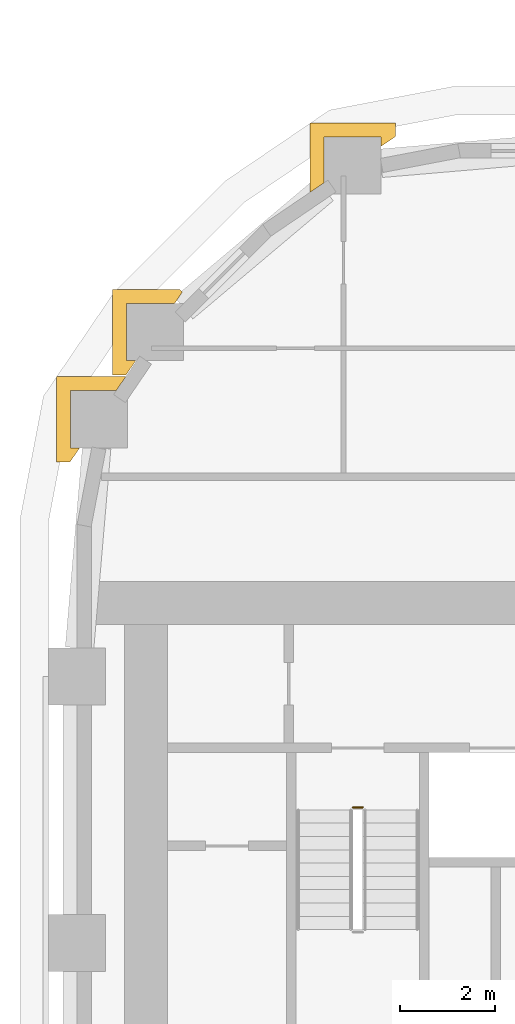
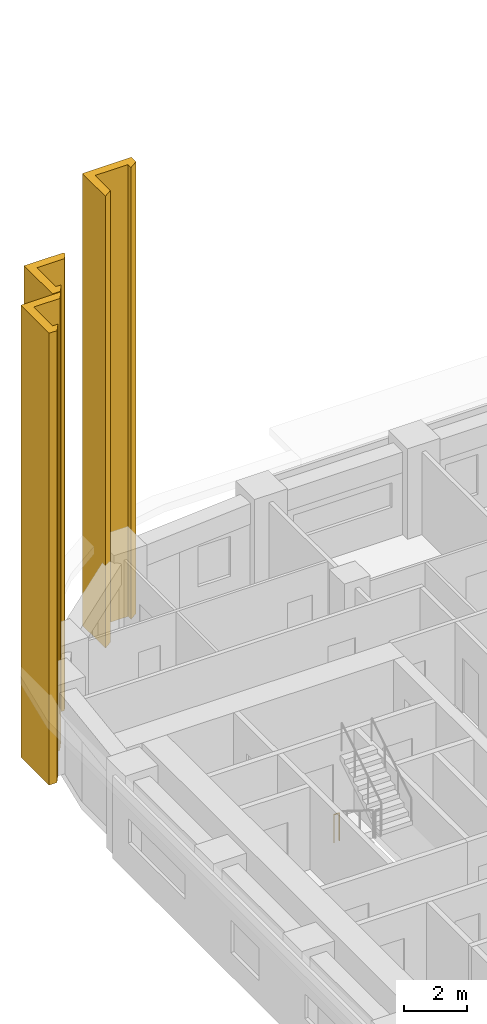
# One storey, part 21 of 23: 3 coverings, 1 railing.
"""IFC4 building model written with IfcOpenShell, lengths in metres."""

from ifc_helpers import new_model, si_unit, direction, frame, origin, origin_2d, place, context, subcontext, project, spatial, polyline, circle, outline, extrude, material, layer, layer_set, type_object, element, save


model = new_model("IFC4")

# Units and contexts
model_context = context("Model", 3, precision=1e-05, world=origin(), true_north=direction((0.0, 1.0)))
body_context = subcontext(model_context, "Body", "Model", "MODEL_VIEW")
ifc_project = project(units=[si_unit("LENGTHUNIT", "METRE"), si_unit("AREAUNIT", "SQUARE_METRE"), si_unit("VOLUMEUNIT", "CUBIC_METRE"), si_unit("PLANEANGLEUNIT", "RADIAN"), si_unit("MASSUNIT", "GRAM", prefix="KILO")], contexts=[model_context])

# Site, building, storey
site_placement = place(None, origin())
site = spatial("IfcSite", under=ifc_project, at=site_placement, CompositionType="ELEMENT")
building_placement = place(site_placement, origin())
building = spatial("IfcBuilding", under=site, at=building_placement, Name="Kiln Ring Residences", CompositionType="ELEMENT")
storey_placement = place(building_placement, frame((0.0, 0.0, 107.800048828125)))
storey = spatial("IfcBuildingStorey", under=building, at=storey_placement, Name="L27", CompositionType="ELEMENT", Elevation=107.800048828125)

# Railing
ifc_material_1 = material(Name="Stainless steel", Category="steel")
railing_type = type_object("IfcRailingType", Name="CORE-STAIR-GUARD", PredefinedType="GUARDRAIL", material=ifc_material_1)
railing_placement = place(storey_placement, frame((-22.199951171875, 8.449951171875, 0.0)))
element("IfcRailing", 1, at=railing_placement, inside=storey, type_object=railing_type, Name="L27 W-STN stair guard 4", PredefinedType="GUARDRAIL", context=body_context, shape_type="SweptSolid", body=[
    extrude(circle(Radius=0.02392578125, at=origin_2d()), frame((0.0, 0.0, 1.076171875), z_axis=(1.0, 0.0, 0.0), x_axis=(0.0, 1.0, 0.0)), (0.0, 0.0, 1.0), 0.199951171875),
    extrude(circle(Radius=0.02099609375, at=origin_2d()), origin(), (0.0, 0.0, 1.0), 1.052001953125),
    extrude(circle(Radius=0.02099609375, at=origin_2d()), frame((0.199951171875, 0.0, 0.0)), (0.0, 0.0, 1.0), 1.052001953125),
])

# Coverings
ifc_material_2 = material(Name="Brick masonry, dark clay brick", Category="masonry")
ifc_layer = layer(ifc_material_2, 0.300048828125)
ifc_layer_set = layer_set([ifc_layer], Name="PIER CLADDING 300")
covering_type = type_object("IfcCoveringType", Name="PIER CLADDING 300", PredefinedType="CLADDING", material=ifc_layer_set)
placement = place(storey_placement, origin())
element("IfcCovering", 2, at=placement, inside=storey, type_object=covering_type, Name="PIER CLADDING L27-L31", PredefinedType="CLADDING", context=body_context, shape_type="SweptSolid", body=[
    extrude(outline(polyline([(-21.30859375, 22.838134765625), (-23.108642578125, 22.838134765625), (-23.108642578125, 21.37451171875), (-22.80859375, 21.578369140625), (-22.80859375, 22.5380859375), (-21.608642578125, 22.5380859375), (-21.608642578125, 22.345947265625), (-21.30859375, 22.5498046875), (-21.30859375, 22.838134765625)])), origin(), (0.0, 0.0, 1.0), 17.5),
])
element("IfcCovering", 3, at=placement, inside=storey, type_object=covering_type, Name="PIER CLADDING L27-L31", PredefinedType="CLADDING", context=body_context, shape_type="SweptSolid", body=[
    extrude(outline(polyline([(-25.845458984375, 19.340087890625), (-27.259765625, 19.340087890625), (-27.259765625, 17.540283203125), (-26.971435546875, 17.540283203125), (-26.767578125, 17.840087890625), (-26.959716796875, 17.840087890625), (-26.959716796875, 19.040283203125), (-25.951904296875, 19.040283203125), (-25.78759765625, 19.2822265625), (-25.845458984375, 19.340087890625)])), origin(), (0.0, 0.0, 1.0), 17.5),
])
element("IfcCovering", 4, at=placement, inside=storey, type_object=covering_type, Name="PIER CLADDING L27-L31", PredefinedType="CLADDING", context=body_context, shape_type="SweptSolid", body=[
    extrude(outline(polyline([(-26.974609375, 17.5087890625), (-28.43798828125, 17.5087890625), (-28.43798828125, 15.708740234375), (-28.14990234375, 15.708740234375), (-27.94580078125, 16.0087890625), (-28.13818359375, 16.0087890625), (-28.13818359375, 17.208740234375), (-27.178466796875, 17.208740234375), (-26.974609375, 17.5087890625)])), origin(), (0.0, 0.0, 1.0), 17.5),
])

save(model, "model.ifc")
